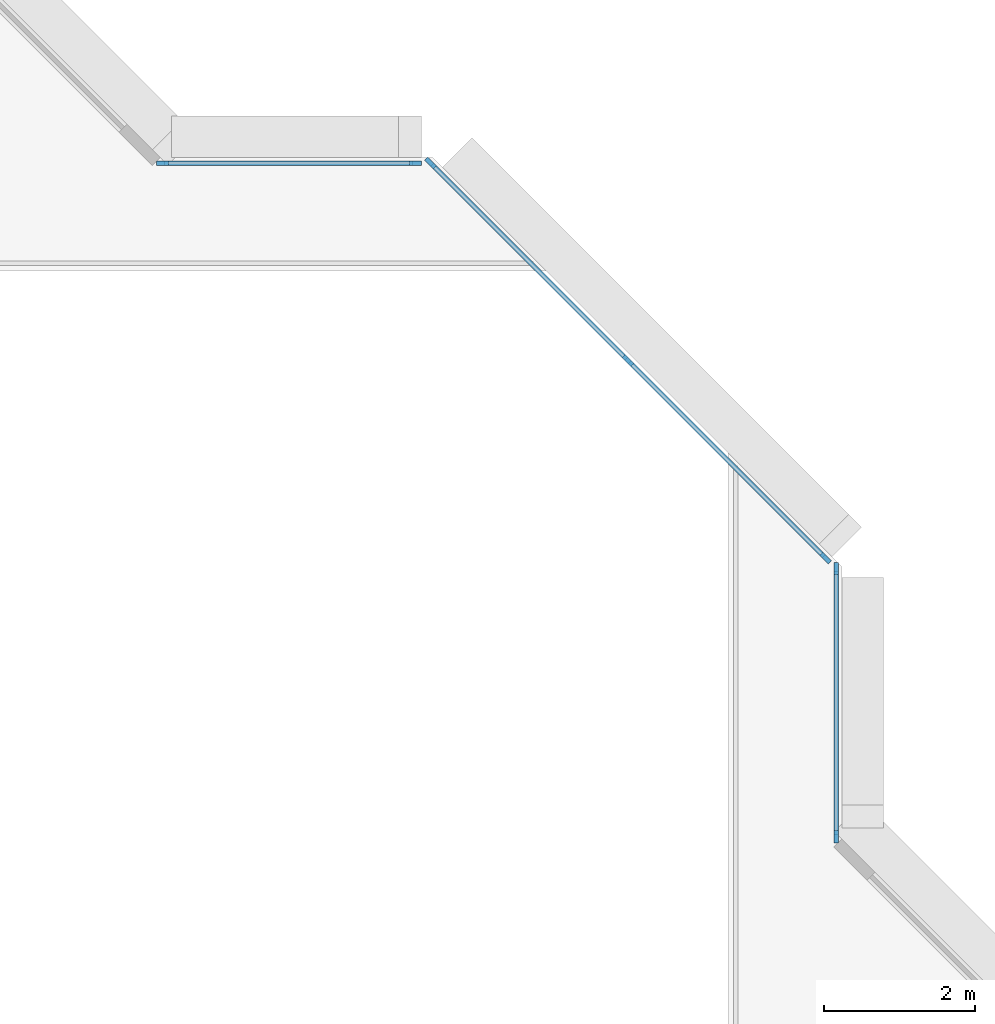
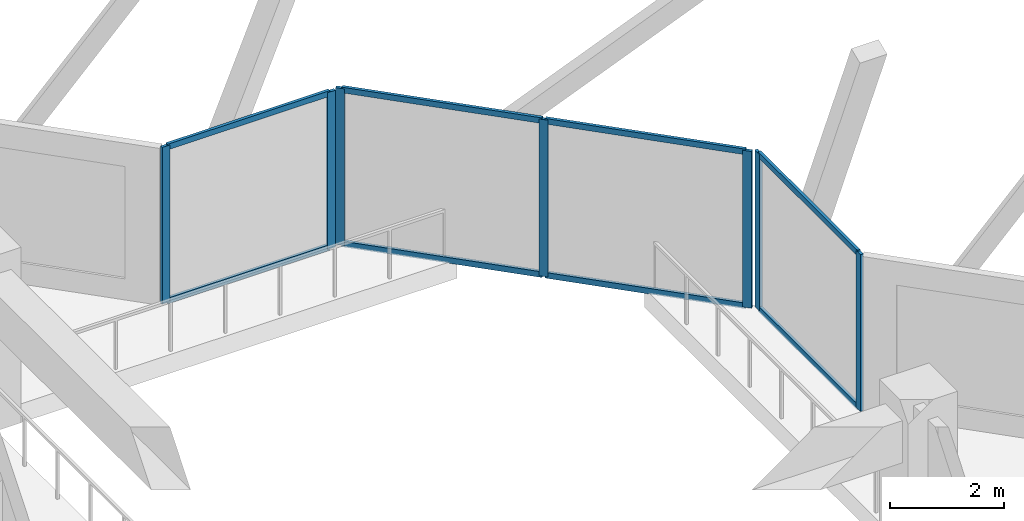
# One storey, part 2 of 15: 15 members, 3 elements without a shape of their own.
"""IFC4 building model written with IfcOpenShell, lengths in metres."""

from ifc_helpers import new_model, si_unit, direction, frame, origin, origin_2d, place, context, subcontext, project, spatial, rectangle, extrude, material, layer, layer_set, material_profile, profile_set, type_object, element, aggregate, save


model = new_model("IFC4")

# Units and contexts
model_context = context("Model", 3, precision=1e-05, world=origin(), true_north=direction((0.0, 1.0)))
body_context = subcontext(model_context, "Body", "Model", "MODEL_VIEW")
ifc_project = project(units=[si_unit("LENGTHUNIT", "METRE"), si_unit("AREAUNIT", "SQUARE_METRE"), si_unit("VOLUMEUNIT", "CUBIC_METRE"), si_unit("PLANEANGLEUNIT", "RADIAN"), si_unit("MASSUNIT", "GRAM", prefix="KILO")], contexts=[model_context])

# Site, building, storey
site_placement = place(None, origin())
site = spatial("IfcSite", under=ifc_project, at=site_placement, CompositionType="ELEMENT")
building_placement = place(site_placement, origin())
building = spatial("IfcBuilding", under=site, at=building_placement, Name="Chenar Terraces", CompositionType="ELEMENT")
storey_placement = place(building_placement, frame((0.0, 0.0, 121.89990234375)))
storey = spatial("IfcBuildingStorey", under=building, at=storey_placement, Name="L28", CompositionType="ELEMENT", Elevation=121.89990234375)

# Curtain wall, members
ifc_material_1 = material(Name="Aluminium framed glazing", Category="aluminium")
ifc_layer = layer(ifc_material_1, 0.14990234375)
ifc_layer_set = layer_set([ifc_layer], Name="Aluminium framed glazing")
curtain_wall_type = type_object("IfcCurtainWallType", Name="Atrium curtain wall", PredefinedType="NOTDEFINED", material=ifc_layer_set)
placement = place(storey_placement, origin())
curtain_wall_1 = element("IfcCurtainWall", 1, at=placement, inside=storey, type_object=curtain_wall_type, Name="Atrium curtain wall", PredefinedType="NOTDEFINED")
ifc_material_2 = material(Name="Aluminium", Category="aluminium")
ifc_material_profile_1 = material_profile(ifc_material_2, rectangle(XDim=0.06005859375, YDim=0.159912109375, at=origin_2d()), Name="Atrium glazing mullion 60 x 160")
ifc_profile_set_1 = profile_set([ifc_material_profile_1], Name="Aluminium")
member_type_1 = type_object("IfcMemberType", Name="Atrium glazing mullion 60 x 160", PredefinedType="MULLION", material=ifc_profile_set_1)
member_1_placement = place(storey_placement, frame((37.425048828125, 28.530029296875, 0.0), z_axis=(0.0, 0.0, 1.0), x_axis=(-1.0, 0.0, 0.0)))
member_1 = element("IfcMember", 2, at=member_1_placement, type_object=member_type_1, Name="CW1-1 mullion 1", PredefinedType="MULLION", context=body_context, shape_type="SweptSolid", body=[
    extrude(rectangle(XDim=0.06005859375, YDim=0.159912109375, at=origin_2d()), origin(), (0.0, 0.0, 1.0), 3.35009765625),
])
member_2_placement = place(storey_placement, frame((37.425048828125, 32.070068359375, 0.0), z_axis=(0.0, 0.0, 1.0), x_axis=(-1.0, 0.0, 0.0)))
member_2 = element("IfcMember", 3, at=member_2_placement, type_object=member_type_1, Name="CW1-1 mullion 2", PredefinedType="MULLION", context=body_context, shape_type="SweptSolid", body=[
    extrude(rectangle(XDim=0.06005859375, YDim=0.159912109375, at=origin_2d()), origin(), (0.0, 0.0, 1.0), 3.35009765625),
])

curtain_wall_2 = element("IfcCurtainWall", 4, at=placement, inside=storey, type_object=curtain_wall_type, Name="Atrium curtain wall", PredefinedType="NOTDEFINED")
member_3_placement = place(storey_placement, frame((37.284423828125, 32.209716796875, 0.0), z_axis=(0.0, 0.0, 1.0), x_axis=(-0.707106781187, -0.707106781187, 0.0)))
member_3 = element("IfcMember", 5, at=member_3_placement, type_object=member_type_1, Name="CW1-2 mullion 1", PredefinedType="MULLION", context=body_context, shape_type="SweptSolid", body=[
    extrude(rectangle(XDim=0.06005859375, YDim=0.159912109375, at=origin_2d()), origin(), (0.0, 0.0, 1.0), 3.35009765625),
])
member_4_placement = place(storey_placement, frame((34.67626953125, 34.817626953125, 0.0), z_axis=(0.0, 0.0, 1.0), x_axis=(-0.707106781187, -0.707106781187, 0.0)))
member_4 = element("IfcMember", 6, at=member_4_placement, type_object=member_type_1, Name="CW1-2 mullion 2", PredefinedType="MULLION", context=body_context, shape_type="SweptSolid", body=[
    extrude(rectangle(XDim=0.06005859375, YDim=0.159912109375, at=origin_2d()), origin(), (0.0, 0.0, 1.0), 3.35009765625),
])
member_5_placement = place(storey_placement, frame((32.068115234375, 37.42578125, 0.0), z_axis=(0.0, 0.0, 1.0), x_axis=(-0.707106781187, -0.707106781187, 0.0)))
member_5 = element("IfcMember", 7, at=member_5_placement, type_object=member_type_1, Name="CW1-2 mullion 3", PredefinedType="MULLION", context=body_context, shape_type="SweptSolid", body=[
    extrude(rectangle(XDim=0.06005859375, YDim=0.159912109375, at=origin_2d()), origin(), (0.0, 0.0, 1.0), 3.35009765625),
])

curtain_wall_3 = element("IfcCurtainWall", 8, at=placement, inside=storey, type_object=curtain_wall_type, Name="Atrium curtain wall", PredefinedType="NOTDEFINED")
member_6_placement = place(storey_placement, frame((31.8701171875, 37.425048828125, 0.0), z_axis=(0.0, 0.0, 1.0), x_axis=(0.0, -1.0, 0.0)))
member_6 = element("IfcMember", 9, at=member_6_placement, type_object=member_type_1, Name="CW1-3 mullion 1", PredefinedType="MULLION", context=body_context, shape_type="SweptSolid", body=[
    extrude(rectangle(XDim=0.06005859375, YDim=0.159912109375, at=origin_2d()), origin(), (0.0, 0.0, 1.0), 3.35009765625),
])
member_7_placement = place(storey_placement, frame((28.530029296875, 37.425048828125, 0.0), z_axis=(0.0, 0.0, 1.0), x_axis=(0.0, -1.0, 0.0)))
member_7 = element("IfcMember", 10, at=member_7_placement, type_object=member_type_1, Name="CW1-3 mullion 2", PredefinedType="MULLION", context=body_context, shape_type="SweptSolid", body=[
    extrude(rectangle(XDim=0.06005859375, YDim=0.159912109375, at=origin_2d()), origin(), (0.0, 0.0, 1.0), 3.35009765625),
])

# Member
ifc_material_3 = material(Name="Aluminium", Category="aluminium")
ifc_material_profile_2 = material_profile(ifc_material_3, rectangle(XDim=0.06005859375, YDim=0.1201171875, at=origin_2d()), Name="Atrium glazing transom 60 x 120")
ifc_profile_set_2 = profile_set([ifc_material_profile_2], Name="Aluminium")
member_type_2 = type_object("IfcMemberType", Name="Atrium glazing transom 60 x 120", PredefinedType="USERDEFINED", material=ifc_profile_set_2)
member_8_placement = place(storey_placement, frame((37.425048828125, 28.56005859375, 0.030029296875), z_axis=(0.0, 1.0, 0.0), x_axis=(-1.0, 0.0, 0.0)))
member_8 = element("IfcMember", 11, at=member_8_placement, type_object=member_type_2, Name="CW1-1 transom 1.1", ObjectType="TRANSOM", PredefinedType="USERDEFINED", context=body_context, shape_type="SweptSolid", body=[
    extrude(rectangle(XDim=0.06005859375, YDim=0.1201171875, at=origin_2d()), origin(), (0.0, 0.0, 1.0), 3.47998046875),
])

member_9_placement = place(storey_placement, frame((37.425048828125, 28.56005859375, 3.320068359375), z_axis=(0.0, 1.0, 0.0), x_axis=(-1.0, 0.0, 0.0)))
member_9 = element("IfcMember", 12, at=member_9_placement, type_object=member_type_2, Name="CW1-1 transom 1.2", ObjectType="TRANSOM", PredefinedType="USERDEFINED", context=body_context, shape_type="SweptSolid", body=[
    extrude(rectangle(XDim=0.06005859375, YDim=0.1201171875, at=origin_2d()), origin(), (0.0, 0.0, 1.0), 3.47998046875),
])

aggregate(curtain_wall_1, [member_1, member_2, member_8, member_9])

member_10_placement = place(storey_placement, frame((37.26318359375, 32.230712890625, 0.030029296875), z_axis=(-0.707106781187, 0.707106781187, 0.0), x_axis=(-0.707106781187, -0.707106781187, 0.0)))
member_10 = element("IfcMember", 13, at=member_10_placement, type_object=member_type_2, Name="CW1-2 transom 1.1", ObjectType="TRANSOM", PredefinedType="USERDEFINED", context=body_context, shape_type="SweptSolid", body=[
    extrude(rectangle(XDim=0.06005859375, YDim=0.1201171875, at=origin_2d()), origin(), (0.0, 0.0, 1.0), 3.62841796875),
])

member_11_placement = place(storey_placement, frame((37.26318359375, 32.230712890625, 3.320068359375), z_axis=(-0.707106781187, 0.707106781187, 0.0), x_axis=(-0.707106781187, -0.707106781187, 0.0)))
member_11 = element("IfcMember", 14, at=member_11_placement, type_object=member_type_2, Name="CW1-2 transom 1.2", ObjectType="TRANSOM", PredefinedType="USERDEFINED", context=body_context, shape_type="SweptSolid", body=[
    extrude(rectangle(XDim=0.06005859375, YDim=0.1201171875, at=origin_2d()), origin(), (0.0, 0.0, 1.0), 3.62841796875),
])

member_12_placement = place(storey_placement, frame((34.655029296875, 34.8388671875, 0.030029296875), z_axis=(-0.707106781187, 0.707106781187, 0.0), x_axis=(-0.707106781187, -0.707106781187, 0.0)))
member_12 = element("IfcMember", 15, at=member_12_placement, type_object=member_type_2, Name="CW1-2 transom 2.1", ObjectType="TRANSOM", PredefinedType="USERDEFINED", context=body_context, shape_type="SweptSolid", body=[
    extrude(rectangle(XDim=0.06005859375, YDim=0.1201171875, at=origin_2d()), origin(), (0.0, 0.0, 1.0), 3.62841796875),
])

member_13_placement = place(storey_placement, frame((34.655029296875, 34.8388671875, 3.320068359375), z_axis=(-0.707106781187, 0.707106781187, 0.0), x_axis=(-0.707106781187, -0.707106781187, 0.0)))
member_13 = element("IfcMember", 16, at=member_13_placement, type_object=member_type_2, Name="CW1-2 transom 2.2", ObjectType="TRANSOM", PredefinedType="USERDEFINED", context=body_context, shape_type="SweptSolid", body=[
    extrude(rectangle(XDim=0.06005859375, YDim=0.1201171875, at=origin_2d()), origin(), (0.0, 0.0, 1.0), 3.62841796875),
])

aggregate(curtain_wall_2, [member_3, member_4, member_5, member_10, member_11, member_12, member_13])

member_14_placement = place(storey_placement, frame((31.840087890625, 37.425048828125, 0.030029296875), z_axis=(-1.0, 0.0, 0.0), x_axis=(0.0, -1.0, 0.0)))
member_14 = element("IfcMember", 17, at=member_14_placement, type_object=member_type_2, Name="CW1-3 transom 1.1", ObjectType="TRANSOM", PredefinedType="USERDEFINED", context=body_context, shape_type="SweptSolid", body=[
    extrude(rectangle(XDim=0.06005859375, YDim=0.1201171875, at=origin_2d()), origin(), (0.0, 0.0, 1.0), 3.280029296875),
])

member_15_placement = place(storey_placement, frame((31.840087890625, 37.425048828125, 3.320068359375), z_axis=(-1.0, 0.0, 0.0), x_axis=(0.0, -1.0, 0.0)))
member_15 = element("IfcMember", 18, at=member_15_placement, type_object=member_type_2, Name="CW1-3 transom 1.2", ObjectType="TRANSOM", PredefinedType="USERDEFINED", context=body_context, shape_type="SweptSolid", body=[
    extrude(rectangle(XDim=0.06005859375, YDim=0.1201171875, at=origin_2d()), origin(), (0.0, 0.0, 1.0), 3.280029296875),
])

aggregate(curtain_wall_3, [member_6, member_7, member_14, member_15])

save(model, "model.ifc")
